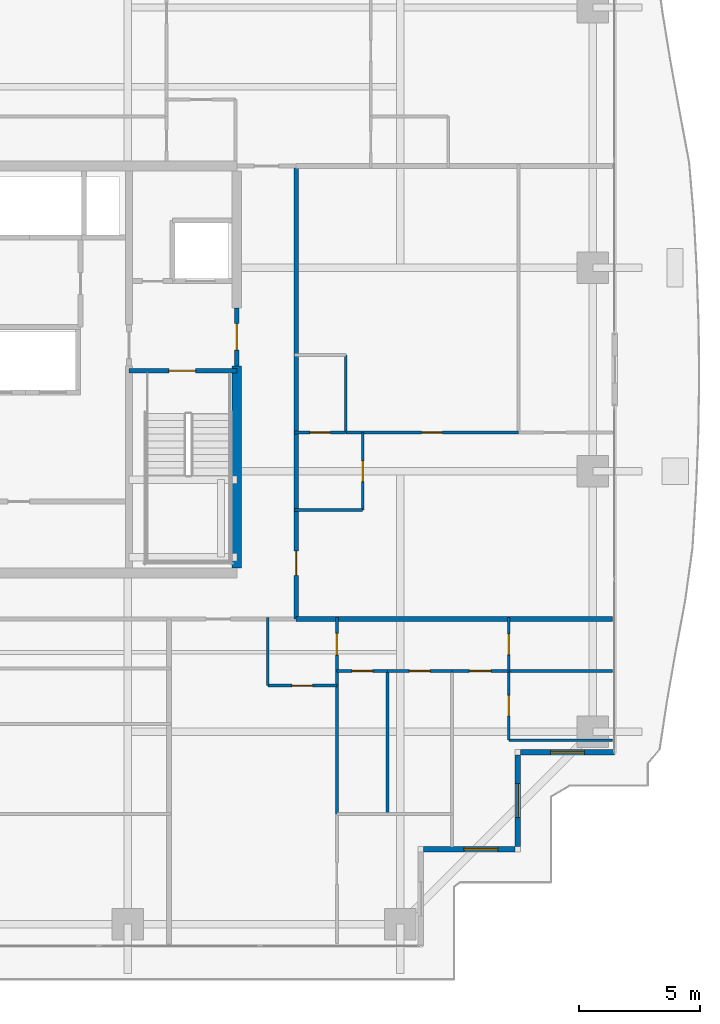
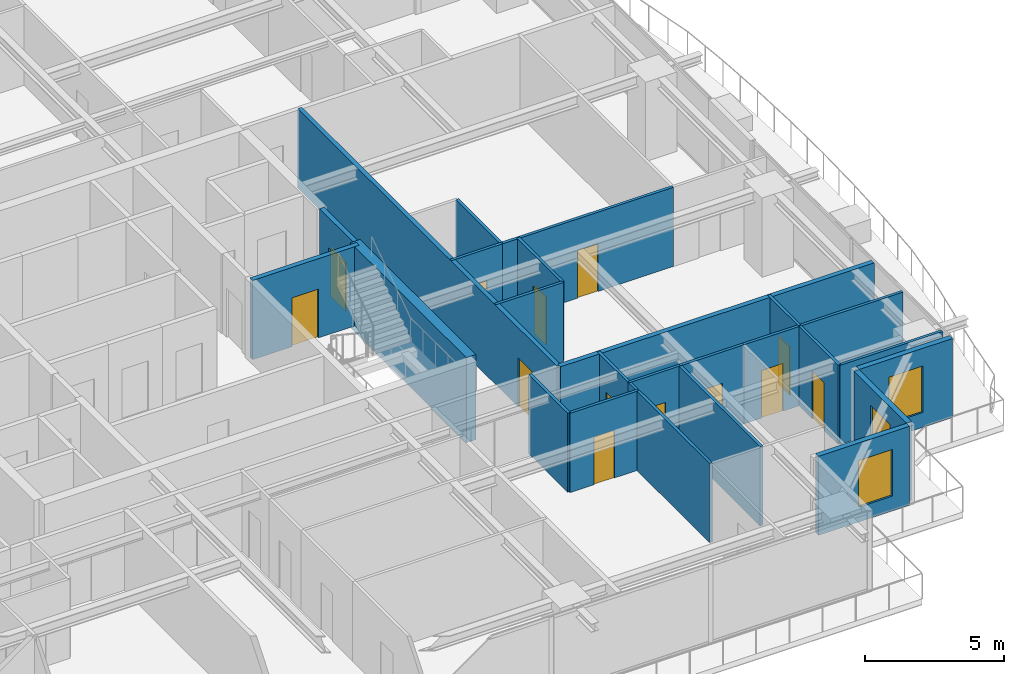
# One storey, part 25 of 33: 25 walls, 13 doors, 3 windows, 16 openings.
"""IFC4 building model written with IfcOpenShell, lengths in metres."""

from ifc_helpers import new_model, si_unit, direction, frame, frame_2d, origin, place, context, subcontext, project, spatial, rectangle, extrude, source, transform, mapped, material, layer, layer_set, type_object, element, fill, save


model = new_model("IFC4")

# Units and contexts
model_context = context("Model", 3, precision=1e-05, world=origin(), true_north=direction((0.0, 1.0)))
body_context = subcontext(model_context, "Body", "Model", "MODEL_VIEW")
ifc_project = project(units=[si_unit("LENGTHUNIT", "METRE"), si_unit("AREAUNIT", "SQUARE_METRE"), si_unit("VOLUMEUNIT", "CUBIC_METRE"), si_unit("PLANEANGLEUNIT", "RADIAN"), si_unit("MASSUNIT", "GRAM", prefix="KILO")], contexts=[model_context])

# Site, building, storey
site_placement = place(None, origin())
site = spatial("IfcSite", under=ifc_project, at=site_placement, CompositionType="ELEMENT")
building_placement = place(site_placement, origin())
building = spatial("IfcBuilding", under=site, at=building_placement, Name="Serunith Strait Residences", CompositionType="ELEMENT")
storey_placement = place(building_placement, frame((0.0, 0.0, 165.14990234375)))
storey = spatial("IfcBuildingStorey", under=building, at=storey_placement, Name="L41", CompositionType="ELEMENT", Elevation=165.14990234375)

# Wall, opening, window
ifc_material_1 = material(Name="Pale-Champagne Aluminium Insulated Panel", Category="aluminium")
ifc_layer_1 = layer(ifc_material_1, 0.219970703125, Name="Pale-Champagne Aluminium Insulated Panel")
ifc_layer_set_1 = layer_set([ifc_layer_1], Name="Pale-Champagne Aluminium Insulated Panel")
wall_type_1 = type_object("IfcWallType", Name="EW-ALUM-220", PredefinedType="ELEMENTEDWALL", material=ifc_layer_set_1)
wall_1_placement = place(storey_placement, frame((49.110107421875, 5.39990234375, 0.0), z_axis=(0.0, 0.0, 1.0), x_axis=(1.0, 0.0, 0.0)))
wall_1 = element("IfcWall", 1, at=wall_1_placement, inside=storey, type_object=wall_type_1, Name="L41 Girih Serrated Corner Wall 03", PredefinedType="ELEMENTEDWALL", context=body_context, shape_type="SweptSolid", body=[
    extrude(rectangle(XDim=3.77978515625, YDim=0.219970703125, at=frame_2d((1.889892578125, 0.0))), origin(), (0.0, 0.0, 1.0), 3.47509765625),
])
opening_1_placement = place(wall_1_placement, frame((1.666015625, 0.0, 0.64990234375)))
opening_1 = element("IfcOpeningElement", 2, at=opening_1_placement, cuts=wall_1, Name="Opening W-03", PredefinedType="OPENING", context=body_context, shape_type="SweptSolid", body=[
    extrude(rectangle(XDim=1.39990234375, YDim=2.050048828125, at=frame_2d((0.699951171875, 1.02490234375))), frame((0.0, 0.1201171875, 0.0), z_axis=(0.0, -1.0, 0.0), x_axis=(1.0, 0.0, 0.0)), (0.0, 0.0, 1.0), 0.239990234375),
])
ifc_material_2 = material(Name="Ceramic-Fritted Operable Aluminium Window Glass", Category="aluminium")
window_type = type_object("IfcWindowType", Name="WIN-C3", PartitioningType="SINGLE_PANEL", PredefinedType="WINDOW", material=ifc_material_2)
shared_shape_1 = source(origin(), body_context, "Body", "SweptSolid", [
    extrude(rectangle(XDim=1.39990234375, YDim=2.050048828125, at=frame_2d((0.699951171875, 1.02490234375))), frame((0.0, 0.030029296875, 0.0), z_axis=(0.0, -1.0, 0.0), x_axis=(1.0, 0.0, 0.0)), (0.0, 0.0, 1.0), 0.06005859375),
])
window_1_placement = place(opening_1_placement, origin())
window_1 = element("IfcWindow", 3, at=window_1_placement, inside=storey, type_object=window_type, Name="L41 Corner Operable Fritted Window 03", OverallHeight=2.050048828125, OverallWidth=1.39990234375, PartitioningType="SINGLE_PANEL", PredefinedType="WINDOW", context=body_context, shape_type="MappedRepresentation", body=[
    mapped(shared_shape_1, transform((0.0, 0.0, 0.0), scale=1.0)),
])
fill(opening_1, window_1)

wall_2_placement = place(storey_placement, frame((53.0, 5.510009765625, 0.0), z_axis=(0.0, 0.0, 1.0), x_axis=(0.0, 1.0, 0.0)))
wall_2 = element("IfcWall", 4, at=wall_2_placement, inside=storey, type_object=wall_type_1, Name="L41 Girih Serrated Corner Wall 04", PredefinedType="ELEMENTEDWALL", context=body_context, shape_type="SweptSolid", body=[
    extrude(rectangle(XDim=3.780029296875, YDim=0.219970703125, at=frame_2d((1.89013671875, 0.0))), origin(), (0.0, 0.0, 1.0), 3.47509765625),
])
opening_2_placement = place(wall_2_placement, frame((1.18994140625, 0.0, 0.64990234375)))
opening_2 = element("IfcOpeningElement", 5, at=opening_2_placement, cuts=wall_2, Name="Opening W-03", PredefinedType="OPENING", context=body_context, shape_type="SweptSolid", body=[
    extrude(rectangle(XDim=1.39990234375, YDim=2.050048828125, at=frame_2d((0.699951171875, 1.02490234375))), frame((0.0, 0.1201171875, 0.0), z_axis=(0.0, -1.0, 0.0), x_axis=(1.0, 0.0, 0.0)), (0.0, 0.0, 1.0), 0.239990234375),
])
window_2_placement = place(opening_2_placement, origin())
window_2 = element("IfcWindow", 6, at=window_2_placement, inside=storey, type_object=window_type, Name="L41 Corner Operable Fritted Window 04", OverallHeight=2.050048828125, OverallWidth=1.39990234375, PartitioningType="SINGLE_PANEL", PredefinedType="WINDOW", context=body_context, shape_type="MappedRepresentation", body=[
    mapped(shared_shape_1, transform((0.0, 0.0, 0.0), scale=1.0)),
])
fill(opening_2, window_2)

wall_3_placement = place(storey_placement, frame((53.110107421875, 9.39990234375, 0.0), z_axis=(0.0, 0.0, 1.0), x_axis=(1.0, 0.0, 0.0)))
wall_3 = element("IfcWall", 7, at=wall_3_placement, inside=storey, type_object=wall_type_1, Name="L41 Girih Serrated Corner Wall 05", PredefinedType="ELEMENTEDWALL", context=body_context, shape_type="SweptSolid", body=[
    extrude(rectangle(XDim=3.889892578125, YDim=0.219970703125, at=frame_2d((1.94482421875, 0.0))), origin(), (0.0, 0.0, 1.0), 3.47509765625),
])
opening_3_placement = place(wall_3_placement, frame((1.2451171875, 0.0, 0.64990234375)))
opening_3 = element("IfcOpeningElement", 8, at=opening_3_placement, cuts=wall_3, Name="Opening W-03", PredefinedType="OPENING", context=body_context, shape_type="SweptSolid", body=[
    extrude(rectangle(XDim=1.39990234375, YDim=2.050048828125, at=frame_2d((0.699951171875, 1.02490234375))), frame((0.0, 0.1201171875, 0.0), z_axis=(0.0, -1.0, 0.0), x_axis=(1.0, 0.0, 0.0)), (0.0, 0.0, 1.0), 0.239990234375),
])
window_3_placement = place(opening_3_placement, origin())
window_3 = element("IfcWindow", 9, at=window_3_placement, inside=storey, type_object=window_type, Name="L41 Corner Operable Fritted Window 05", OverallHeight=2.050048828125, OverallWidth=1.39990234375, PartitioningType="SINGLE_PANEL", PredefinedType="WINDOW", context=body_context, shape_type="MappedRepresentation", body=[
    mapped(shared_shape_1, transform((0.0, 0.0, 0.0), scale=1.0)),
])
fill(opening_3, window_3)

# Wall, opening, door
ifc_material_3 = material(Name="Fire-rated acoustic gypsum partition")
ifc_layer_2 = layer(ifc_material_3, 0.179931640625, Name="Fire-rated acoustic gypsum partition")
ifc_layer_set_2 = layer_set([ifc_layer_2], Name="Fire-rated acoustic gypsum partition")
wall_type_2 = type_object("IfcWallType", Name="IW-CORR-180", PredefinedType="PARTITIONING", material=ifc_layer_set_2)
wall_4_placement = place(storey_placement, frame((43.85009765625, 14.89990234375, 0.0), z_axis=(0.0, 0.0, 1.0), x_axis=(0.0, 1.0, 0.0)))
wall_4 = element("IfcWall", 10, at=wall_4_placement, inside=storey, type_object=wall_type_2, Name="L41 Partition Wall 025", PredefinedType="PARTITIONING", context=body_context, shape_type="SweptSolid", body=[
    extrude(rectangle(XDim=18.7001953125, YDim=0.179931640625, at=frame_2d((9.35009765625, 0.0))), origin(), (0.0, 0.0, 1.0), 3.489990234375),
])
opening_4_placement = place(wall_4_placement, frame((1.804931640625, 0.0, 0.0)))
opening_4 = element("IfcOpeningElement", 11, at=opening_4_placement, cuts=wall_4, Name="Opening D-APT1000", PredefinedType="OPENING", context=body_context, shape_type="SweptSolid", body=[
    extrude(rectangle(XDim=1.0, YDim=2.14990234375, at=frame_2d((0.5, 1.074951171875))), frame((0.0, 0.10009765625, 0.0), z_axis=(0.0, -1.0, 0.0), x_axis=(1.0, 0.0, 0.0)), (0.0, 0.0, 1.0), 0.199951171875),
])
ifc_material_4 = material(Name="Solid timber engineered fire door", Category="wood")
door_type_1 = type_object("IfcDoorType", Name="ID-APT-1000", OperationType="NOTDEFINED", PredefinedType="DOOR", material=ifc_material_4)
shared_shape_2 = source(origin(), body_context, "Body", "SweptSolid", [
    extrude(rectangle(XDim=1.0, YDim=2.14990234375, at=frame_2d((0.5, 1.074951171875))), frame((0.0, 0.02490234375, 0.0), z_axis=(0.0, -1.0, 0.0), x_axis=(1.0, 0.0, 0.0)), (0.0, 0.0, 1.0), 0.050048828125),
])
door_1_placement = place(opening_4_placement, origin())
door_1 = element("IfcDoor", 12, at=door_1_placement, inside=storey, type_object=door_type_1, Name="L41 Unit 08 Entrance Door", OperationType="SINGLE_SWING_LEFT", OverallHeight=2.14990234375, OverallWidth=1.0, PredefinedType="DOOR", context=body_context, shape_type="MappedRepresentation", body=[
    mapped(shared_shape_2, transform((0.0, 0.0, 0.0), scale=1.0)),
])
fill(opening_4, door_1)

ifc_material_5 = material(Name="Lightweight steel-stud gypsum partition", Category="steel")
ifc_layer_3 = layer(ifc_material_5, 0.1201171875, Name="Lightweight steel-stud gypsum partition")
ifc_layer_set_3 = layer_set([ifc_layer_3], Name="Lightweight steel-stud gypsum partition")
wall_type_3 = type_object("IfcWallType", Name="IW-PART-120", PredefinedType="PARTITIONING", material=ifc_layer_set_3)
wall_5_placement = place(storey_placement, frame((42.679931640625, 12.14990234375, 0.0), z_axis=(0.0, 0.0, 1.0), x_axis=(1.0, 0.0, 0.0)))
wall_5 = element("IfcWall", 13, at=wall_5_placement, inside=storey, type_object=wall_type_3, Name="L41 Partition Wall 043", PredefinedType="PARTITIONING", context=body_context, shape_type="SweptSolid", body=[
    extrude(rectangle(XDim=2.85009765625, YDim=0.1201171875, at=frame_2d((1.425048828125, 0.0))), origin(), (0.0, 0.0, 1.0), 3.489990234375),
])
opening_5_placement = place(wall_5_placement, frame((1.0, 0.0, 0.0)))
opening_5 = element("IfcOpeningElement", 14, at=opening_5_placement, cuts=wall_5, Name="Opening D-RM850", PredefinedType="OPENING", context=body_context, shape_type="SweptSolid", body=[
    extrude(rectangle(XDim=0.85009765625, YDim=2.10009765625, at=frame_2d((0.425048828125, 1.050048828125))), frame((0.0, 0.070068359375, 0.0), z_axis=(0.0, -1.0, 0.0), x_axis=(1.0, 0.0, 0.0)), (0.0, 0.0, 1.0), 0.14013671875),
])
ifc_material_6 = material(Name="Engineered timber flush study and kitchen door", Category="wood")
door_type_2 = type_object("IfcDoorType", Name="ID-ROOM-850", OperationType="NOTDEFINED", PredefinedType="DOOR", material=ifc_material_6)
shared_shape_3 = source(origin(), body_context, "Body", "SweptSolid", [
    extrude(rectangle(XDim=0.85009765625, YDim=2.10009765625, at=frame_2d((0.425048828125, 1.050048828125))), frame((0.0, 0.02490234375, 0.0), z_axis=(0.0, -1.0, 0.0), x_axis=(1.0, 0.0, 0.0)), (0.0, 0.0, 1.0), 0.050048828125),
])
door_2_placement = place(opening_5_placement, origin())
door_2 = element("IfcDoor", 15, at=door_2_placement, inside=storey, type_object=door_type_2, Name="L41 Kitchen 4103 Door", OperationType="SINGLE_SWING_RIGHT", OverallHeight=2.10009765625, OverallWidth=0.85009765625, PredefinedType="DOOR", context=body_context, shape_type="MappedRepresentation", body=[
    mapped(shared_shape_3, transform((0.0, 0.0, 0.0), scale=1.0)),
])
fill(opening_5, door_2)

# Wall
wall_6_placement = place(storey_placement, frame((42.679931640625, 12.14990234375, 0.0), z_axis=(0.0, 0.0, 1.0), x_axis=(0.0, 1.0, 0.0)))
element("IfcWall", 16, at=wall_6_placement, inside=storey, type_object=wall_type_3, Name="L41 Partition Wall 044", PredefinedType="PARTITIONING", context=body_context, shape_type="SweptSolid", body=[
    extrude(rectangle(XDim=2.81005859375, YDim=0.1201171875, at=frame_2d((1.405029296875, 0.0))), origin(), (0.0, 0.0, 1.0), 3.489990234375),
])

# Wall, opening, door
wall_7_placement = place(storey_placement, frame((45.530029296875, 12.75, 0.0), z_axis=(0.0, 0.0, 1.0), x_axis=(0.0, 1.0, 0.0)))
wall_7 = element("IfcWall", 17, at=wall_7_placement, inside=storey, type_object=wall_type_3, Name="L41 Partition Wall 045", PredefinedType="PARTITIONING", context=body_context, shape_type="SweptSolid", body=[
    extrude(rectangle(XDim=2.2099609375, YDim=0.1201171875, at=frame_2d((1.10498046875, 0.0))), origin(), (0.0, 0.0, 1.0), 3.489990234375),
])
opening_6_placement = place(wall_7_placement, frame((0.655029296875, 0.0, 0.0)))
opening_6 = element("IfcOpeningElement", 18, at=opening_6_placement, cuts=wall_7, Name="Opening D-RM900", PredefinedType="OPENING", context=body_context, shape_type="SweptSolid", body=[
    extrude(rectangle(XDim=0.89990234375, YDim=2.10009765625, at=frame_2d((0.449951171875, 1.050048828125))), frame((0.0, 0.070068359375, 0.0), z_axis=(0.0, -1.0, 0.0), x_axis=(1.0, 0.0, 0.0)), (0.0, 0.0, 1.0), 0.14013671875),
])
ifc_material_7 = material(Name="Engineered timber flush bedroom door", Category="wood")
door_type_3 = type_object("IfcDoorType", Name="ID-ROOM-900", OperationType="NOTDEFINED", PredefinedType="DOOR", material=ifc_material_7)
shared_shape_4 = source(origin(), body_context, "Body", "SweptSolid", [
    extrude(rectangle(XDim=0.89990234375, YDim=2.10009765625, at=frame_2d((0.449951171875, 1.050048828125))), frame((0.0, 0.02490234375, 0.0), z_axis=(0.0, -1.0, 0.0), x_axis=(1.0, 0.0, 0.0)), (0.0, 0.0, 1.0), 0.050048828125),
])
door_3_placement = place(opening_6_placement, origin())
door_3 = element("IfcDoor", 19, at=door_3_placement, inside=storey, type_object=door_type_3, Name="L41 Hall E 4103 Door", OperationType="SINGLE_SWING_LEFT", OverallHeight=2.10009765625, OverallWidth=0.89990234375, PredefinedType="DOOR", context=body_context, shape_type="MappedRepresentation", body=[
    mapped(shared_shape_4, transform((0.0, 0.0, 0.0), scale=1.0)),
])
fill(opening_6, door_3)

# Walls
wall_8_placement = place(storey_placement, frame((45.530029296875, 6.84912109375, 0.0), z_axis=(0.0, 0.0, 1.0), x_axis=(0.0, 1.0, 0.0)))
element("IfcWall", 20, at=wall_8_placement, inside=storey, type_object=wall_type_3, Name="L41 Partition Wall 047", PredefinedType="PARTITIONING", context=body_context, shape_type="SweptSolid", body=[
    extrude(rectangle(XDim=5.89892578125, YDim=0.1201171875, at=frame_2d((2.949462890625, 0.0))), origin(), (0.0, 0.0, 1.0), 3.489990234375),
])
wall_9_placement = place(storey_placement, frame((47.6298828125, 6.846923828125, 0.0), z_axis=(0.0, 0.0, 1.0), x_axis=(0.0, 1.0, 0.0)))
element("IfcWall", 21, at=wall_9_placement, inside=storey, type_object=wall_type_3, Name="L41 Partition Wall 050", PredefinedType="PARTITIONING", context=body_context, shape_type="SweptSolid", body=[
    extrude(rectangle(XDim=5.903076171875, YDim=0.1201171875, at=frame_2d((2.95166015625, 0.0))), origin(), (0.0, 0.0, 1.0), 3.489990234375),
])

# Wall, opening, door
wall_10_placement = place(storey_placement, frame((45.530029296875, 12.75, 0.0), z_axis=(0.0, 0.0, 1.0), x_axis=(1.0, 0.0, 0.0)))
wall_10 = element("IfcWall", 22, at=wall_10_placement, inside=storey, type_object=wall_type_3, Name="L41 Partition Wall 051", PredefinedType="PARTITIONING", context=body_context, shape_type="SweptSolid", body=[
    extrude(rectangle(XDim=2.099853515625, YDim=0.1201171875, at=frame_2d((1.0498046875, 0.0))), origin(), (0.0, 0.0, 1.0), 3.489990234375),
])
opening_7_placement = place(wall_10_placement, frame((0.625, 0.0, 0.0)))
opening_7 = element("IfcOpeningElement", 23, at=opening_7_placement, cuts=wall_10, Name="Opening D-BTH850", PredefinedType="OPENING", context=body_context, shape_type="SweptSolid", body=[
    extrude(rectangle(XDim=0.85009765625, YDim=2.10009765625, at=frame_2d((0.425048828125, 1.050048828125))), frame((0.0, 0.070068359375, 0.0), z_axis=(0.0, -1.0, 0.0), x_axis=(1.0, 0.0, 0.0)), (0.0, 0.0, 1.0), 0.14013671875),
])
ifc_material_8 = material(Name="Moisture-resistant timber bathroom door", Category="wood")
door_type_4 = type_object("IfcDoorType", Name="ID-BATH-850", OperationType="NOTDEFINED", PredefinedType="DOOR", material=ifc_material_8)
door_4_placement = place(opening_7_placement, origin())
door_4 = element("IfcDoor", 24, at=door_4_placement, inside=storey, type_object=door_type_4, Name="L41 Bathroom 4103 Door", OperationType="SINGLE_SWING_LEFT", OverallHeight=2.10009765625, OverallWidth=0.85009765625, PredefinedType="DOOR", context=body_context, shape_type="MappedRepresentation", body=[
    mapped(shared_shape_3, transform((0.0, 0.0, 0.0), scale=1.0)),
])
fill(opening_7, door_4)

wall_11_placement = place(storey_placement, frame((47.632080078125, 12.75, 0.0), z_axis=(0.0, 0.0, 1.0), x_axis=(1.0, 0.0, 0.0)))
wall_11 = element("IfcWall", 25, at=wall_11_placement, inside=storey, type_object=wall_type_3, Name="L41 Partition Wall 052", PredefinedType="PARTITIONING", context=body_context, shape_type="SweptSolid", body=[
    extrude(rectangle(XDim=2.64794921875, YDim=0.1201171875, at=frame_2d((1.323974609375, 0.0))), origin(), (0.0, 0.0, 1.0), 3.489990234375),
])
opening_8_placement = place(wall_11_placement, frame((0.89892578125, 0.0, 0.0)))
opening_8 = element("IfcOpeningElement", 26, at=opening_8_placement, cuts=wall_11, Name="Opening D-RM850", PredefinedType="OPENING", context=body_context, shape_type="SweptSolid", body=[
    extrude(rectangle(XDim=0.85009765625, YDim=2.10009765625, at=frame_2d((0.425048828125, 1.050048828125))), frame((0.0, 0.070068359375, 0.0), z_axis=(0.0, -1.0, 0.0), x_axis=(1.0, 0.0, 0.0)), (0.0, 0.0, 1.0), 0.14013671875),
])
door_5_placement = place(opening_8_placement, origin())
door_5 = element("IfcDoor", 27, at=door_5_placement, inside=storey, type_object=door_type_2, Name="L41 Study 4103 Door", OperationType="SINGLE_SWING_RIGHT", OverallHeight=2.10009765625, OverallWidth=0.85009765625, PredefinedType="DOOR", context=body_context, shape_type="MappedRepresentation", body=[
    mapped(shared_shape_3, transform((0.0, 0.0, 0.0), scale=1.0)),
])
fill(opening_8, door_5)

wall_12_placement = place(storey_placement, frame((50.281982421875, 12.75, 0.0), z_axis=(0.0, 0.0, 1.0), x_axis=(1.0, 0.0, 0.0)))
wall_12 = element("IfcWall", 28, at=wall_12_placement, inside=storey, type_object=wall_type_3, Name="L41 Partition Wall 053", PredefinedType="PARTITIONING", context=body_context, shape_type="SweptSolid", body=[
    extrude(rectangle(XDim=2.347900390625, YDim=0.1201171875, at=frame_2d((1.173828125, 0.0))), origin(), (0.0, 0.0, 1.0), 3.489990234375),
])
opening_9_placement = place(wall_12_placement, frame((0.72412109375, 0.0, 0.0)))
opening_9 = element("IfcOpeningElement", 29, at=opening_9_placement, cuts=wall_12, Name="Opening D-RM900", PredefinedType="OPENING", context=body_context, shape_type="SweptSolid", body=[
    extrude(rectangle(XDim=0.89990234375, YDim=2.10009765625, at=frame_2d((0.449951171875, 1.050048828125))), frame((0.0, 0.070068359375, 0.0), z_axis=(0.0, -1.0, 0.0), x_axis=(1.0, 0.0, 0.0)), (0.0, 0.0, 1.0), 0.14013671875),
])
door_6_placement = place(opening_9_placement, origin())
door_6 = element("IfcDoor", 30, at=door_6_placement, inside=storey, type_object=door_type_3, Name="L41 Master Bedroom E 4103 Door", OperationType="SINGLE_SWING_LEFT", OverallHeight=2.10009765625, OverallWidth=0.89990234375, PredefinedType="DOOR", context=body_context, shape_type="MappedRepresentation", body=[
    mapped(shared_shape_4, transform((0.0, 0.0, 0.0), scale=1.0)),
])
fill(opening_9, door_6)

# Walls
wall_13_placement = place(storey_placement, frame((52.6298828125, 9.89501953125, 0.0), z_axis=(0.0, 0.0, 1.0), x_axis=(1.0, 0.0, 0.0)))
element("IfcWall", 31, at=wall_13_placement, inside=storey, type_object=wall_type_3, Name="L41 Partition Wall 054", PredefinedType="PARTITIONING", context=body_context, shape_type="SweptSolid", body=[
    extrude(rectangle(XDim=4.275146484375, YDim=0.1201171875, at=frame_2d((2.1376953125, 0.0))), origin(), (0.0, 0.0, 1.0), 3.489990234375),
])
wall_14_placement = place(storey_placement, frame((52.632080078125, 12.75, 0.0), z_axis=(0.0, 0.0, 1.0), x_axis=(1.0, 0.0, 0.0)))
element("IfcWall", 32, at=wall_14_placement, inside=storey, type_object=wall_type_3, Name="L41 Partition Wall 055", PredefinedType="PARTITIONING", context=body_context, shape_type="SweptSolid", body=[
    extrude(rectangle(XDim=4.27294921875, YDim=0.1201171875, at=frame_2d((2.136474609375, 0.0))), origin(), (0.0, 0.0, 1.0), 3.489990234375),
])

# Wall, opening, door
wall_15_placement = place(storey_placement, frame((52.6298828125, 9.89501953125, 0.0), z_axis=(0.0, 0.0, 1.0), x_axis=(0.0, 1.0, 0.0)))
wall_15 = element("IfcWall", 33, at=wall_15_placement, inside=storey, type_object=wall_type_3, Name="L41 Partition Wall 056", PredefinedType="PARTITIONING", context=body_context, shape_type="SweptSolid", body=[
    extrude(rectangle(XDim=2.85498046875, YDim=0.1201171875, at=frame_2d((1.427490234375, 0.0))), origin(), (0.0, 0.0, 1.0), 3.489990234375),
])
opening_10_placement = place(wall_15_placement, frame((1.0029296875, 0.0, 0.0)))
opening_10 = element("IfcOpeningElement", 34, at=opening_10_placement, cuts=wall_15, Name="Opening D-BTH850", PredefinedType="OPENING", context=body_context, shape_type="SweptSolid", body=[
    extrude(rectangle(XDim=0.85009765625, YDim=2.10009765625, at=frame_2d((0.425048828125, 1.050048828125))), frame((0.0, 0.070068359375, 0.0), z_axis=(0.0, -1.0, 0.0), x_axis=(1.0, 0.0, 0.0)), (0.0, 0.0, 1.0), 0.14013671875),
])
door_7_placement = place(opening_10_placement, origin())
door_7 = element("IfcDoor", 35, at=door_7_placement, inside=storey, type_object=door_type_4, Name="L41 En-suite Bathroom E 4103 Door", OperationType="SINGLE_SWING_RIGHT", OverallHeight=2.10009765625, OverallWidth=0.85009765625, PredefinedType="DOOR", context=body_context, shape_type="MappedRepresentation", body=[
    mapped(shared_shape_3, transform((0.0, 0.0, 0.0), scale=1.0)),
])
fill(opening_10, door_7)

wall_16_placement = place(storey_placement, frame((52.6298828125, 12.751953125, 0.0), z_axis=(0.0, 0.0, 1.0), x_axis=(0.0, 1.0, 0.0)))
wall_16 = element("IfcWall", 36, at=wall_16_placement, inside=storey, type_object=wall_type_3, Name="L41 Partition Wall 057", PredefinedType="PARTITIONING", context=body_context, shape_type="SweptSolid", body=[
    extrude(rectangle(XDim=2.2080078125, YDim=0.1201171875, at=frame_2d((1.10400390625, 0.0))), origin(), (0.0, 0.0, 1.0), 3.489990234375),
])
opening_11_placement = place(wall_16_placement, frame((0.678955078125, 0.0, 0.0)))
opening_11 = element("IfcOpeningElement", 37, at=opening_11_placement, cuts=wall_16, Name="Opening D-RM850", PredefinedType="OPENING", context=body_context, shape_type="SweptSolid", body=[
    extrude(rectangle(XDim=0.85009765625, YDim=2.10009765625, at=frame_2d((0.425048828125, 1.050048828125))), frame((0.0, 0.070068359375, 0.0), z_axis=(0.0, -1.0, 0.0), x_axis=(1.0, 0.0, 0.0)), (0.0, 0.0, 1.0), 0.14013671875),
])
door_8_placement = place(opening_11_placement, origin())
door_8 = element("IfcDoor", 38, at=door_8_placement, inside=storey, type_object=door_type_2, Name="L41 Wardrobe E 4103 Door", OperationType="SINGLE_SWING_LEFT", OverallHeight=2.10009765625, OverallWidth=0.85009765625, PredefinedType="DOOR", context=body_context, shape_type="MappedRepresentation", body=[
    mapped(shared_shape_3, transform((0.0, 0.0, 0.0), scale=1.0)),
])
fill(opening_11, door_8)

wall_17_placement = place(storey_placement, frame((46.60009765625, 19.39990234375, 0.0), z_axis=(0.0, 0.0, 1.0), x_axis=(0.0, 1.0, 0.0)))
wall_17 = element("IfcWall", 39, at=wall_17_placement, inside=storey, type_object=wall_type_3, Name="L41 Partition Wall 094", PredefinedType="PARTITIONING", context=body_context, shape_type="SweptSolid", body=[
    extrude(rectangle(XDim=3.2001953125, YDim=0.1201171875, at=frame_2d((1.60009765625, 0.0))), origin(), (0.0, 0.0, 1.0), 3.489990234375),
])
opening_12_placement = place(wall_17_placement, frame((1.175048828125, 0.0, 0.0)))
opening_12 = element("IfcOpeningElement", 40, at=opening_12_placement, cuts=wall_17, Name="Opening D-RM850", PredefinedType="OPENING", context=body_context, shape_type="SweptSolid", body=[
    extrude(rectangle(XDim=0.85009765625, YDim=2.10009765625, at=frame_2d((0.425048828125, 1.050048828125))), frame((0.0, 0.070068359375, 0.0), z_axis=(0.0, -1.0, 0.0), x_axis=(1.0, 0.0, 0.0)), (0.0, 0.0, 1.0), 0.14013671875),
])
door_9_placement = place(opening_12_placement, origin())
door_9 = element("IfcDoor", 41, at=door_9_placement, inside=storey, type_object=door_type_2, Name="L41 Kitchen 4108 Door", OperationType="SINGLE_SWING_LEFT", OverallHeight=2.10009765625, OverallWidth=0.85009765625, PredefinedType="DOOR", context=body_context, shape_type="MappedRepresentation", body=[
    mapped(shared_shape_3, transform((0.0, 0.0, 0.0), scale=1.0)),
])
fill(opening_12, door_9)

# Walls
wall_18_placement = place(storey_placement, frame((46.60009765625, 19.39990234375, 0.0), z_axis=(0.0, 0.0, 1.0), x_axis=(-1.0, 0.0, 0.0)))
element("IfcWall", 42, at=wall_18_placement, inside=storey, type_object=wall_type_3, Name="L41 Partition Wall 095", PredefinedType="PARTITIONING", context=body_context, shape_type="SweptSolid", body=[
    extrude(rectangle(XDim=2.81005859375, YDim=0.1201171875, at=frame_2d((1.405029296875, 0.0))), origin(), (0.0, 0.0, 1.0), 3.489990234375),
])
wall_19_placement = place(storey_placement, frame((45.89990234375, 22.60009765625, 0.0), z_axis=(0.0, 0.0, 1.0), x_axis=(0.0, 1.0, 0.0)))
element("IfcWall", 43, at=wall_19_placement, inside=storey, type_object=wall_type_3, Name="L41 Partition Wall 098", PredefinedType="PARTITIONING", context=body_context, shape_type="SweptSolid", body=[
    extrude(rectangle(XDim=3.199951171875, YDim=0.1201171875, at=frame_2d((1.60009765625, 0.0))), origin(), (0.0, 0.0, 1.0), 3.489990234375),
])

# Wall, opening, door
wall_20_placement = place(storey_placement, frame((53.02392578125, 22.60009765625, 0.0), z_axis=(0.0, 0.0, 1.0), x_axis=(-1.0, 0.0, 0.0)))
wall_20 = element("IfcWall", 44, at=wall_20_placement, inside=storey, type_object=wall_type_3, Name="L41 Partition Wall 100", PredefinedType="PARTITIONING", context=body_context, shape_type="SweptSolid", body=[
    extrude(rectangle(XDim=7.1240234375, YDim=0.1201171875, at=frame_2d((3.56201171875, 0.0))), origin(), (0.0, 0.0, 1.0), 3.489990234375),
])
opening_13_placement = place(wall_20_placement, frame((3.136962890625, 0.0, 0.0)))
opening_13 = element("IfcOpeningElement", 45, at=opening_13_placement, cuts=wall_20, Name="Opening D-RM850", PredefinedType="OPENING", context=body_context, shape_type="SweptSolid", body=[
    extrude(rectangle(XDim=0.85009765625, YDim=2.10009765625, at=frame_2d((0.425048828125, 1.050048828125))), frame((0.0, 0.070068359375, 0.0), z_axis=(0.0, -1.0, 0.0), x_axis=(1.0, 0.0, 0.0)), (0.0, 0.0, 1.0), 0.14013671875),
])
door_10_placement = place(opening_13_placement, origin())
door_10 = element("IfcDoor", 46, at=door_10_placement, inside=storey, type_object=door_type_2, Name="L41 Walk-in Wardrobe 4108 Door", OperationType="SINGLE_SWING_LEFT", OverallHeight=2.10009765625, OverallWidth=0.85009765625, PredefinedType="DOOR", context=body_context, shape_type="MappedRepresentation", body=[
    mapped(shared_shape_3, transform((0.0, 0.0, 0.0), scale=1.0)),
])
fill(opening_13, door_10)

wall_21_placement = place(storey_placement, frame((45.89794921875, 22.60009765625, 0.0), z_axis=(0.0, 0.0, 1.0), x_axis=(-1.0, 0.0, 0.0)))
wall_21 = element("IfcWall", 47, at=wall_21_placement, inside=storey, type_object=wall_type_3, Name="L41 Partition Wall 101", PredefinedType="PARTITIONING", context=body_context, shape_type="SweptSolid", body=[
    extrude(rectangle(XDim=2.10791015625, YDim=0.1201171875, at=frame_2d((1.053955078125, 0.0))), origin(), (0.0, 0.0, 1.0), 3.489990234375),
])
opening_14_placement = place(wall_21_placement, frame((0.62890625, 0.0, 0.0)))
opening_14 = element("IfcOpeningElement", 48, at=opening_14_placement, cuts=wall_21, Name="Opening D-BTH850", PredefinedType="OPENING", context=body_context, shape_type="SweptSolid", body=[
    extrude(rectangle(XDim=0.85009765625, YDim=2.10009765625, at=frame_2d((0.425048828125, 1.050048828125))), frame((0.0, 0.070068359375, 0.0), z_axis=(0.0, -1.0, 0.0), x_axis=(1.0, 0.0, 0.0)), (0.0, 0.0, 1.0), 0.14013671875),
])
door_11_placement = place(opening_14_placement, origin())
door_11 = element("IfcDoor", 49, at=door_11_placement, inside=storey, type_object=door_type_4, Name="L41 Bathroom 4108 Door", OperationType="SINGLE_SWING_RIGHT", OverallHeight=2.10009765625, OverallWidth=0.85009765625, PredefinedType="DOOR", context=body_context, shape_type="MappedRepresentation", body=[
    mapped(shared_shape_3, transform((0.0, 0.0, 0.0), scale=1.0)),
])
fill(opening_14, door_11)

# Wall
ifc_material_9 = material(Name="Twin-stud acoustic gypsum board partition")
ifc_layer_4 = layer(ifc_material_9, 0.199951171875, Name="Twin-stud acoustic gypsum board partition")
ifc_layer_set_4 = layer_set([ifc_layer_4], Name="Twin-stud acoustic gypsum board partition")
wall_type_4 = type_object("IfcWallType", Name="IW-PARTY-200", PredefinedType="PARTITIONING", material=ifc_layer_set_4)
wall_22_placement = place(storey_placement, frame((43.85009765625, 14.89990234375, 0.0), z_axis=(0.0, 0.0, 1.0), x_axis=(1.0, 0.0, 0.0)))
element("IfcWall", 50, at=wall_22_placement, inside=storey, type_object=wall_type_4, Name="L41 Partition Wall 020", PredefinedType="PARTITIONING", context=body_context, shape_type="SweptSolid", body=[
    extrude(rectangle(XDim=13.06787109375, YDim=0.199951171875, at=frame_2d((6.533935546875, 0.0))), origin(), (0.0, 0.0, 1.0), 3.489990234375),
])

# Wall, opening, door
ifc_material_10 = material(Name="Autoclaved aerated concrete blockwork", Category="masonry")
ifc_layer_5 = layer(ifc_material_10, 0.199951171875, Name="Autoclaved aerated concrete blockwork")
ifc_layer_set_5 = layer_set([ifc_layer_5], Name="Autoclaved aerated concrete blockwork")
wall_type_5 = type_object("IfcWallType", Name="IW-SHAFT-200", PredefinedType="STANDARD", material=ifc_layer_set_5)
wall_23_placement = place(storey_placement, frame((36.949951171875, 25.14990234375, 0.0), z_axis=(0.0, 0.0, 1.0), x_axis=(1.0, 0.0, 0.0)))
wall_23 = element("IfcWall", 51, at=wall_23_placement, inside=storey, type_object=wall_type_5, Name="L41 ST-2 North Shaft Wall", PredefinedType="STANDARD", context=body_context, shape_type="SweptSolid", body=[
    extrude(rectangle(XDim=4.449951171875, YDim=0.199951171875, at=frame_2d((2.22509765625, 0.0))), origin(), (0.0, 0.0, 1.0), 3.489990234375),
])
opening_15_placement = place(wall_23_placement, frame((1.64990234375, 0.0, 0.0)))
opening_15 = element("IfcOpeningElement", 52, at=opening_15_placement, cuts=wall_23, Name="Opening FD-1100", PredefinedType="OPENING", context=body_context, shape_type="SweptSolid", body=[
    extrude(rectangle(XDim=1.10009765625, YDim=2.14990234375, at=frame_2d((0.550048828125, 1.074951171875))), frame((0.0, 0.10986328125, 0.0), z_axis=(0.0, -1.0, 0.0), x_axis=(1.0, 0.0, 0.0)), (0.0, 0.0, 1.0), 0.219970703125),
])
ifc_material_11 = material(Name="Galvanised steel fire door leaf", Category="steel")
door_type_5 = type_object("IfcDoorType", Name="FD-STAIR-1100", OperationType="NOTDEFINED", PredefinedType="DOOR", material=ifc_material_11)
shared_shape_5 = source(origin(), body_context, "Body", "SweptSolid", [
    extrude(rectangle(XDim=1.10009765625, YDim=2.14990234375, at=frame_2d((0.550048828125, 1.074951171875))), frame((0.0, 0.02490234375, 0.0), z_axis=(0.0, -1.0, 0.0), x_axis=(1.0, 0.0, 0.0)), (0.0, 0.0, 1.0), 0.050048828125),
])
door_12_placement = place(opening_15_placement, origin())
door_12 = element("IfcDoor", 53, at=door_12_placement, inside=storey, type_object=door_type_5, Name="L41 ST-2 Escape Stair Door", OperationType="SINGLE_SWING_RIGHT", OverallHeight=2.14990234375, OverallWidth=1.10009765625, PredefinedType="DOOR", context=body_context, shape_type="MappedRepresentation", body=[
    mapped(shared_shape_5, transform((0.0, 0.0, 0.0), scale=1.0)),
])
fill(opening_15, door_12)

wall_24_placement = place(storey_placement, frame((41.39990234375, 25.35205078125, 0.0), z_axis=(0.0, 0.0, 1.0), x_axis=(0.0, 1.0, 0.0)))
wall_24 = element("IfcWall", 54, at=wall_24_placement, inside=storey, type_object=wall_type_5, Name="L41 Partition Wall 008", PredefinedType="STANDARD", context=body_context, shape_type="SweptSolid", body=[
    extrude(rectangle(XDim=2.39599609375, YDim=0.199951171875, at=frame_2d((1.197998046875, 0.0))), origin(), (0.0, 0.0, 1.0), 3.489990234375),
])
opening_16_placement = place(wall_24_placement, frame((0.64794921875, 0.0, 0.0)))
opening_16 = element("IfcOpeningElement", 55, at=opening_16_placement, cuts=wall_24, Name="Opening FD-FFL", PredefinedType="OPENING", context=body_context, shape_type="SweptSolid", body=[
    extrude(rectangle(XDim=1.10009765625, YDim=2.14990234375, at=frame_2d((0.550048828125, 1.074951171875))), frame((0.0, 0.10986328125, 0.0), z_axis=(0.0, -1.0, 0.0), x_axis=(1.0, 0.0, 0.0)), (0.0, 0.0, 1.0), 0.219970703125),
])
ifc_material_12 = material(Name="Glazed steel smoke-lobby fire door", Category="steel")
door_type_6 = type_object("IfcDoorType", Name="FD-FFL-1100", OperationType="NOTDEFINED", PredefinedType="DOOR", material=ifc_material_12)
door_13_placement = place(opening_16_placement, origin())
door_13 = element("IfcDoor", 56, at=door_13_placement, inside=storey, type_object=door_type_6, Name="L41 FFL-2 Corridor Fire Door", OperationType="SINGLE_SWING_RIGHT", OverallHeight=2.14990234375, OverallWidth=1.10009765625, PredefinedType="DOOR", context=body_context, shape_type="MappedRepresentation", body=[
    mapped(shared_shape_5, transform((0.0, 0.0, 0.0), scale=1.0)),
])
fill(opening_16, door_13)

# Wall
ifc_material_13 = material(Name="Concrete C70/85", Category="concrete")
ifc_layer_6 = layer(ifc_material_13, 0.39990234375, Name="Concrete C70/85")
ifc_layer_set_6 = layer_set([ifc_layer_6], Name="Concrete C70/85")
wall_type_6 = type_object("IfcWallType", Name="SW-400-C70", PredefinedType="SHEAR", material=ifc_layer_set_6)
wall_25_placement = place(storey_placement, frame((41.39990234375, 17.0, -0.260009765625), z_axis=(0.0, 0.0, 1.0), x_axis=(0.0, 1.0, 0.0)))
element("IfcWall", 57, at=wall_25_placement, inside=storey, type_object=wall_type_6, Name="L41 Core East Shear Wall South Pier", PredefinedType="SHEAR", context=body_context, shape_type="SweptSolid", body=[
    extrude(rectangle(XDim=8.35009765625, YDim=0.39990234375, at=frame_2d((4.175048828125, 0.0))), origin(), (0.0, 0.0, 1.0), 3.748046875),
])

save(model, "model.ifc")
